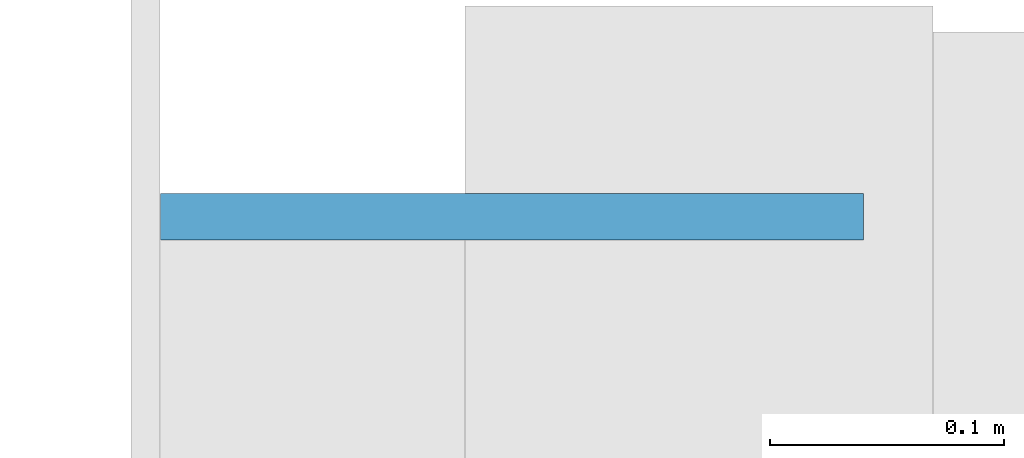
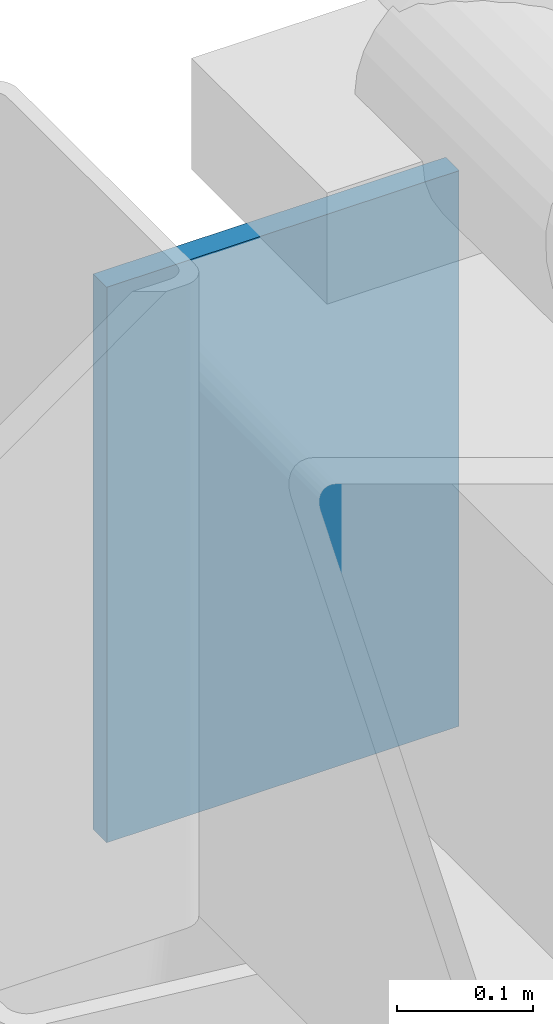
# One storey, part 97 of 141: 1 plate.
"""IFC4 building model written with IfcOpenShell, lengths in metres."""

from ifc_helpers import new_model, si_unit, direction, frame, origin, origin_2d, place, context, subcontext, project, spatial, rectangle, extrude, material, layer, layer_set, type_object, element, save


model = new_model("IFC4")

# Units and contexts
model_context = context("Model", 3, precision=1e-05, world=origin(), true_north=direction((0.0, 1.0)))
body_context = subcontext(model_context, "Body", "Model", "MODEL_VIEW")
ifc_project = project(units=[si_unit("LENGTHUNIT", "METRE"), si_unit("AREAUNIT", "SQUARE_METRE"), si_unit("VOLUMEUNIT", "CUBIC_METRE"), si_unit("PLANEANGLEUNIT", "RADIAN"), si_unit("MASSUNIT", "GRAM", prefix="KILO")], contexts=[model_context])

# Site, building, storey
site_placement = place(None, origin())
site = spatial("IfcSite", under=ifc_project, at=site_placement, CompositionType="ELEMENT")
building_placement = place(site_placement, origin())
building = spatial("IfcBuilding", under=site, at=building_placement, Name="Lantern Court Media Centre", CompositionType="ELEMENT")
storey_placement = place(building_placement, frame((0.0, 0.0, 9.60009765625)))
storey = spatial("IfcBuildingStorey", under=building, at=storey_placement, Name="L02", CompositionType="ELEMENT", Elevation=9.60009765625)

# Plate
ifc_material = material(Name="Steel S355J2 (EN 10025-2)", Category="steel")
ifc_layer = layer(ifc_material, 0.02001953125)
ifc_layer_set = layer_set([ifc_layer], Name="Steel S355J2 (EN 10025-2)")
plate_type = type_object("IfcPlateType", Name="Steel end plate 20", PredefinedType="SHEET", material=ifc_layer_set)
plate_placement = place(storey_placement, frame((-0.14990234375, 40.010009765625, 4.199951171875), z_axis=(0.0, 0.0, 1.0), x_axis=(1.0, 0.0, 0.0)))
element("IfcPlate", 1, at=plate_placement, inside=storey, type_object=plate_type, Name="Cinema Hall edge girder end plate west north", PredefinedType="SHEET", context=body_context, shape_type="SweptSolid", body=[
    extrude(rectangle(XDim=0.300048828125, YDim=0.02001953125, at=origin_2d()), origin(), (0.0, 0.0, 1.0), 0.5),
])

save(model, "model.ifc")
